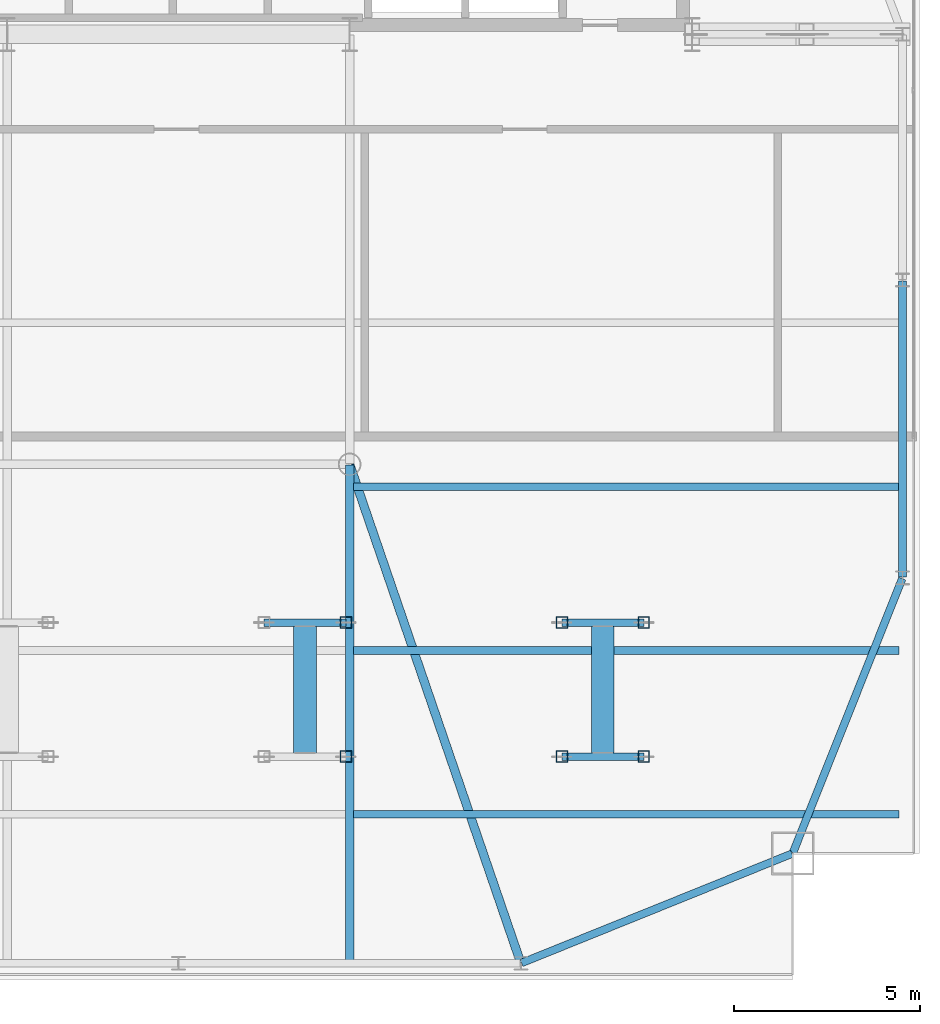
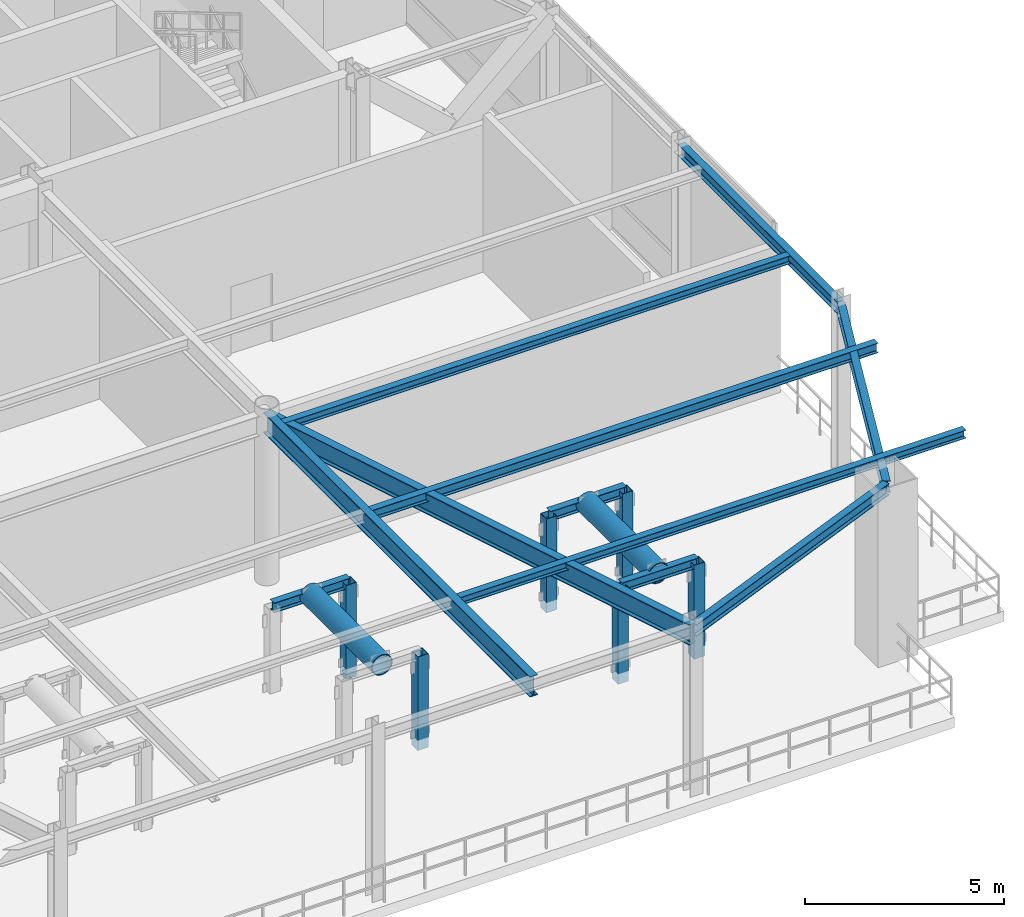
# One storey, part 9 of 21: 11 beams, 8 members.
"""IFC4 building model written with IfcOpenShell, lengths in metres."""

import ifcopenshell
import ifcopenshell.guid

model = None  # the IFC model being written
_history = None  # IfcOwnerHistory: only IFC2X3 demands one
_inside = {}  # id of a spatial element -> (the spatial element, [elements in it])
_under = {}  # id of a project, library or spatial element -> (it, [spatial elements below it])
_declared = {}  # id of a project -> (the project, [libraries it declares])
_typed = {}  # id of a type object -> (the type object, [elements of that type])
_made_of = {}  # id of a material, layer set ... -> (it, [elements and type objects made of it])


def new_model(schema):
    """Start an empty IFC model of exactly this schema.

    Asked for "IFC4X3", IfcOpenShell would pick the latest addendum, in which some entities
    have other attributes; the version numbers below select the first issue.
    IFC2X3 requires an IfcOwnerHistory on every rooted entity: one is made here for all.
    """
    global model, _history
    if schema == "IFC4X3":
        model = ifcopenshell.file(schema_version=(4, 3, 0, 0))
    else:
        model = ifcopenshell.file(schema=schema)
    _inside.clear()
    _under.clear()
    _declared.clear()
    _typed.clear()
    _made_of.clear()
    _history = None
    if model.schema == "IFC2X3":
        org = make("IfcOrganization", Name="unknown")
        user = make(
            "IfcPersonAndOrganization",
            ThePerson=make("IfcPerson", FamilyName="unknown"),
            TheOrganization=org,
        )
        app = make(
            "IfcApplication",
            ApplicationDeveloper=org,
            Version="unknown",
            ApplicationFullName="unknown",
            ApplicationIdentifier="unknown",
        )
        _history = make(
            "IfcOwnerHistory",
            OwningUser=user,
            OwningApplication=app,
            ChangeAction="ADDED",
            CreationDate=0,
        )
    return model


def make(cls, **values):
    """One entity of the class cls with the attributes given. An attribute that is None is left unset."""
    return model.create_entity(
        cls, **{name: value for name, value in values.items() if value is not None}
    )


def rooted(cls, **values):
    """An entity with a GlobalId (a new one), such as an element, a storey or a relation."""
    return make(cls, GlobalId=ifcopenshell.guid.new(), OwnerHistory=_history, **values)


def si_unit(unit_type, name, prefix=None):
    """IfcSIUnit, for example si_unit("LENGTHUNIT", "METRE", prefix="MILLI")."""
    return make("IfcSIUnit", UnitType=unit_type, Prefix=prefix, Name=name)


def assignment(units):
    """IfcUnitAssignment: the units of a project."""
    return None if units is None else make("IfcUnitAssignment", Units=units)


def point(xyz):
    """IfcCartesianPoint."""
    return None if xyz is None else make("IfcCartesianPoint", Coordinates=xyz)


def direction(xyz):
    """IfcDirection."""
    return None if xyz is None else make("IfcDirection", DirectionRatios=xyz)


def frame(location, z_axis=None, x_axis=None):
    """IfcAxis2Placement3D, a coordinate frame: its origin and axes. An axis left out is left unset."""
    return make(
        "IfcAxis2Placement3D",
        Location=point(location),
        Axis=direction(z_axis),
        RefDirection=direction(x_axis),
    )


def frame_2d(location, x_axis=None):
    """IfcAxis2Placement2D, a coordinate frame in the plane: its origin and x axis."""
    return make(
        "IfcAxis2Placement2D", Location=point(location), RefDirection=direction(x_axis)
    )


def origin():
    """The frame at (0, 0, 0) with its axes left unset."""
    return frame((0.0, 0.0, 0.0))


def origin_2d():
    """The frame at (0, 0) in the plane with its x axis left unset."""
    return frame_2d((0.0, 0.0))


def place(relative_to, where):
    """IfcLocalPlacement: puts the frame where relative to a parent placement (None: the world)."""
    return make(
        "IfcLocalPlacement", PlacementRelTo=relative_to, RelativePlacement=where
    )


def context(
    kind, dimensions, precision=None, world=None, true_north=None, identifier=None
):
    """IfcGeometricRepresentationContext, for example the 3D "Model" context."""
    return make(
        "IfcGeometricRepresentationContext",
        ContextIdentifier=identifier,
        ContextType=kind,
        CoordinateSpaceDimension=dimensions,
        Precision=precision,
        WorldCoordinateSystem=world,
        TrueNorth=true_north,
    )


def subcontext(parent, identifier, kind, view, scale=None):
    """IfcGeometricRepresentationSubContext, for example "Body" below "Model"."""
    return make(
        "IfcGeometricRepresentationSubContext",
        ContextIdentifier=identifier,
        ContextType=kind,
        ParentContext=parent,
        TargetScale=scale,
        TargetView=view,
    )


def project(units=None, contexts=None):
    """IfcProject with its units and contexts."""
    return rooted(
        "IfcProject",
        Name="project",
        RepresentationContexts=contexts,
        UnitsInContext=assignment(units),
    )


def spatial(cls, under=None, at=None, **own):
    """A site, building, storey or space (cls), placed at a placement, below another one or the project."""
    s = rooted(cls, ObjectPlacement=at, **own)
    if under is not None:
        _under.setdefault(under.id(), (under, []))[1].append(s)
    return s


def profile(cls, at=None, kind="AREA", **sizes):
    """A parametric profile (cls). Its sizes go by their IFC names, for example OverallWidth=200.0."""
    return make(cls, ProfileType=kind, Position=at, **sizes)


def hollow_rectangle(**sizes):
    """IfcRectangleHollowProfileDef."""
    return profile("IfcRectangleHollowProfileDef", **sizes)


def hollow_circle(**sizes):
    """IfcCircleHollowProfileDef."""
    return profile("IfcCircleHollowProfileDef", **sizes)


def i_section(**sizes):
    """IfcIShapeProfileDef."""
    return profile("IfcIShapeProfileDef", **sizes)


def extrude(swept, where, along, depth):
    """IfcExtrudedAreaSolid: the profile swept, set in the frame where, extruded along a direction by depth."""
    return make(
        "IfcExtrudedAreaSolid",
        SweptArea=swept,
        Position=where,
        ExtrudedDirection=direction(along),
        Depth=depth,
    )


def shape(context_of_items, identifier, shape_type, items):
    """IfcShapeRepresentation: the items that make up one representation, for example the "Body"."""
    return make(
        "IfcShapeRepresentation",
        ContextOfItems=context_of_items,
        RepresentationIdentifier=identifier,
        RepresentationType=shape_type,
        Items=items,
    )


def source(mapping_origin, context_of_items, identifier, shape_type, items):
    """IfcRepresentationMap: a shape defined once, which mapped items show again and again."""
    return make(
        "IfcRepresentationMap",
        MappingOrigin=mapping_origin,
        MappedRepresentation=shape(context_of_items, identifier, shape_type, items),
    )


def transform(
    local_origin,
    x_axis=None,
    y_axis=None,
    z_axis=None,
    scale=None,
    scale2=None,
    scale3=None,
    uniform=True,
):
    """IfcCartesianTransformationOperator3D, or its non-uniform kind. x_axis, y_axis, z_axis: its Axis1, 2, 3."""
    if uniform:
        return make(
            "IfcCartesianTransformationOperator3D",
            Axis1=direction(x_axis),
            Axis2=direction(y_axis),
            LocalOrigin=point(local_origin),
            Scale=scale,
            Axis3=direction(z_axis),
        )
    return make(
        "IfcCartesianTransformationOperator3DnonUniform",
        Axis1=direction(x_axis),
        Axis2=direction(y_axis),
        LocalOrigin=point(local_origin),
        Scale=scale,
        Axis3=direction(z_axis),
        Scale2=scale2,
        Scale3=scale3,
    )


def mapped(mapping_source, mapping_target):
    """IfcMappedItem: shows the shape of a source again, moved by a transform."""
    return make(
        "IfcMappedItem", MappingSource=mapping_source, MappingTarget=mapping_target
    )


def material(Name=None, Category=None):
    """IfcMaterial."""
    return make("IfcMaterial", Name=Name, Category=Category)


def material_profile(
    of_material, cross_section, Name=None, Category=None, Priority=None
):
    """IfcMaterialProfile: a cross section and its material."""
    return make(
        "IfcMaterialProfile",
        Name=Name,
        Material=of_material,
        Profile=cross_section,
        Priority=Priority,
        Category=Category,
    )


def profile_set(profiles, Name=None, composite=None):
    """IfcMaterialProfileSet."""
    return make(
        "IfcMaterialProfileSet",
        Name=Name,
        MaterialProfiles=profiles,
        CompositeProfile=composite,
    )


def made_of(thing, what):
    """Note that an element or type object is made of a material, layer set ...; save() writes the relation."""
    if what is not None:
        _made_of.setdefault(what.id(), (what, []))[1].append(thing)
    return thing


def type_object(cls, material=None, **own):
    """A type object (cls), such as IfcWallType, which elements share."""
    return made_of(rooted(cls, **own), material)


def type_shapes(of_type, sources):
    """Give a type object the sources (RepresentationMaps) that its elements show as mapped items."""
    of_type.RepresentationMaps = sources


def element(
    cls,
    number,
    at=None,
    inside=None,
    cuts=None,
    type_object=None,
    material=None,
    context=None,
    identifier="Body",
    shape_type=None,
    held_by="IfcProductDefinitionShape",
    body=None,
    shapes=None,
    **own,
):
    """One element of the class cls, such as IfcWall. Its Tag is "e" and its number.

    at: its placement. inside: the storey or other place that contains it. cuts: it is an
    opening in that element (IfcRelVoidsElement). A single representation is given by context,
    identifier, shape_type and body (its items); several are given by shapes. held_by: the class
    of the entity that holds the representations. save() writes the other relations.
    """
    e = rooted(cls, Tag="e%d" % number, ObjectPlacement=at, **own)
    if body is not None:
        shapes = [shape(context, identifier, shape_type, body)]
    if shapes is not None:
        e.Representation = make(held_by, Representations=shapes)
    if inside is not None:
        _inside.setdefault(inside.id(), (inside, []))[1].append(e)
    if cuts is not None:
        rooted(
            "IfcRelVoidsElement", RelatingBuildingElement=cuts, RelatedOpeningElement=e
        )
    if type_object is not None:
        _typed.setdefault(type_object.id(), (type_object, []))[1].append(e)
    return made_of(e, material)


def aggregate(whole, parts):
    """IfcRelAggregates: a whole, such as a stair, and the parts it consists of."""
    return rooted("IfcRelAggregates", RelatingObject=whole, RelatedObjects=parts)


def save(model, path):
    """Write the relations noted so far, then the file.

    IfcRelAggregates (storeys below a building ...), IfcRelContainedInSpatialStructure (elements
    in a storey), IfcRelDefinesByType, IfcRelAssociatesMaterial and IfcRelDeclares: one each for
    every whole, place, type object, material and project.
    """
    for whole, parts in _under.values():
        aggregate(whole, parts)
    for where, things in _inside.values():
        rooted(
            "IfcRelContainedInSpatialStructure",
            RelatedElements=things,
            RelatingStructure=where,
        )
    for kind, things in _typed.values():
        rooted("IfcRelDefinesByType", RelatedObjects=things, RelatingType=kind)
    for what, things in _made_of.values():
        rooted("IfcRelAssociatesMaterial", RelatedObjects=things, RelatingMaterial=what)
    for by, libraries in _declared.values():
        rooted("IfcRelDeclares", RelatingContext=by, RelatedDefinitions=libraries)
    model.write(path)


model = new_model("IFC4")

# Units and contexts
model_context = context("Model", 3, precision=1e-05, world=origin(), true_north=direction((0.0, 1.0)))
body_context = subcontext(model_context, "Body", "Model", "MODEL_VIEW")
ifc_project = project(units=[si_unit("LENGTHUNIT", "METRE"), si_unit("AREAUNIT", "SQUARE_METRE"), si_unit("VOLUMEUNIT", "CUBIC_METRE"), si_unit("PLANEANGLEUNIT", "RADIAN"), si_unit("MASSUNIT", "GRAM", prefix="KILO")], contexts=[model_context])

# Site, building, storey
site_placement = place(None, origin())
site = spatial("IfcSite", under=ifc_project, at=site_placement, CompositionType="ELEMENT")
building_placement = place(site_placement, origin())
building = spatial("IfcBuilding", under=site, at=building_placement, Name="Varnel Quay Broadcast Tower", CompositionType="ELEMENT")
storey_placement = place(building_placement, frame((0.0, 0.0, 234.0)))
storey = spatial("IfcBuildingStorey", under=building, at=storey_placement, Name="L58", CompositionType="ELEMENT", Elevation=234.0)

# Beams
ifc_material = material(Name="Structural Steel CSA G40.21 350W", Category="steel")
ifc_material_profile_1 = material_profile(ifc_material, i_section(OverallWidth=0.205078125, OverallDepth=0.35400390625, WebThickness=0.009521484375, FlangeThickness=0.016845703125, FilletRadius=0.012939453125, at=origin_2d()), Name="W360X79")
ifc_profile_set_1 = profile_set([ifc_material_profile_1], Name="Structural Steel CSA G40.21 350W")
beam_type_1 = type_object("IfcBeamType", Name="Beam_W360X79", PredefinedType="SPANDREL", material=ifc_profile_set_1)
shared_shape_1 = source(origin(), body_context, "Body", "SweptSolid", [
    extrude(i_section(OverallWidth=0.205078125, OverallDepth=0.35400390625, WebThickness=0.009521484375, FlangeThickness=0.016845703125, FilletRadius=0.012939453125, at=origin_2d()), origin(), (0.0, 0.0, 1.0), 7.83349609375),
])
beam_1_placement = place(storey_placement, frame((47.818603515625, 10.657470703125, 4.972900390625), z_axis=(0.927155449606, 0.374676890489, 0.0), x_axis=(-0.374676890489, 0.927155449606, 0.0)))
element("IfcBeam", 1, at=beam_1_placement, inside=storey, type_object=beam_type_1, Name="L58 South Spandrel TC-S4-MC-SE", PredefinedType="SPANDREL", context=body_context, shape_type="MappedRepresentation", body=[
    mapped(shared_shape_1, transform((0.0, 0.0, 0.0), x_axis=(1.0, 0.0, 0.0), y_axis=(0.0, 1.0, 0.0), z_axis=(0.0, 0.0, 1.0), scale=1.0)),
])
shared_shape_2 = source(origin(), body_context, "Body", "SweptSolid", [
    extrude(i_section(OverallWidth=0.205078125, OverallDepth=0.35400390625, WebThickness=0.009521484375, FlangeThickness=0.016845703125, FilletRadius=0.012939453125, at=origin_2d()), origin(), (0.0, 0.0, 1.0), 7.92626953125),
])
beam_2_placement = place(storey_placement, frame((55.107421875, 13.61865234375, 4.972900390625), z_axis=(0.370296431883, 0.928913641053, 0.0), x_axis=(-0.928913641053, 0.370296431883, 0.0)))
element("IfcBeam", 2, at=beam_2_placement, inside=storey, type_object=beam_type_1, Name="L58 East Spandrel MC-SE-TC-E1", PredefinedType="SPANDREL", context=body_context, shape_type="MappedRepresentation", body=[
    mapped(shared_shape_2, transform((0.0, 0.0, 0.0), x_axis=(1.0, 0.0, 0.0), y_axis=(0.0, 1.0, 0.0), z_axis=(0.0, 0.0, 1.0), scale=1.0)),
])
shared_shape_3 = source(origin(), body_context, "Body", "SweptSolid", [
    extrude(i_section(OverallWidth=0.205078125, OverallDepth=0.35400390625, WebThickness=0.009521484375, FlangeThickness=0.016845703125, FilletRadius=0.012939453125, at=origin_2d()), origin(), (0.0, 0.0, 1.0), 7.9599609375),
])
type_shapes(beam_type_1, [shared_shape_1, shared_shape_2, shared_shape_3])
beam_3_placement = place(storey_placement, frame((58.050048828125, 21.02001953125, 4.972900390625), z_axis=(0.0, 1.0, 0.0), x_axis=(-1.0, 0.0, 0.0)))
element("IfcBeam", 3, at=beam_3_placement, inside=storey, type_object=beam_type_1, Name="L58 East Spandrel TC-E1-TC-E2", PredefinedType="SPANDREL", context=body_context, shape_type="MappedRepresentation", body=[
    mapped(shared_shape_3, transform((0.0, 0.0, 0.0), x_axis=(1.0, 0.0, 0.0), y_axis=(0.0, 1.0, 0.0), z_axis=(0.0, 0.0, 1.0), scale=1.0)),
])
ifc_material_profile_2 = material_profile(ifc_material, i_section(OverallWidth=0.22998046875, OverallDepth=0.616943359375, WebThickness=0.01318359375, FlangeThickness=0.022216796875, FilletRadius=0.01611328125, at=origin_2d()), Name="W610X140")
ifc_profile_set_2 = profile_set([ifc_material_profile_2], Name="Structural Steel CSA G40.21 350W")
beam_type_2 = type_object("IfcBeamType", Name="Girder_W610X140", PredefinedType="BEAM", material=ifc_profile_set_2)
shared_shape_4 = source(origin(), body_context, "Body", "SweptSolid", [
    extrude(i_section(OverallWidth=0.22998046875, OverallDepth=0.616943359375, WebThickness=0.01318359375, FlangeThickness=0.022216796875, FilletRadius=0.01611328125, at=origin_2d()), origin(), (0.0, 0.0, 1.0), 14.12744140625),
])
beam_4_placement = place(storey_placement, frame((47.79345703125, 10.6689453125, 4.841552734375), z_axis=(-0.324681288447, 0.945823482967, 0.0), x_axis=(-0.945823482967, -0.324681288447, 0.0)))
element("IfcBeam", 4, at=beam_4_placement, inside=storey, type_object=beam_type_2, Name="L58 Primary Girder TC-S4-IC-02", PredefinedType="BEAM", context=body_context, shape_type="MappedRepresentation", body=[
    mapped(shared_shape_4, transform((0.0, 0.0, 0.0), x_axis=(1.0, 0.0, 0.0), y_axis=(0.0, 1.0, 0.0), z_axis=(0.0, 0.0, 1.0), scale=1.0)),
])
shared_shape_5 = source(origin(), body_context, "Body", "SweptSolid", [
    extrude(i_section(OverallWidth=0.22998046875, OverallDepth=0.616943359375, WebThickness=0.01318359375, FlangeThickness=0.022216796875, FilletRadius=0.01611328125, at=origin_2d()), origin(), (0.0, 0.0, 1.0), 13.360107421875),
])
type_shapes(beam_type_2, [shared_shape_4, shared_shape_5])
beam_5_placement = place(storey_placement, frame((43.199951171875, 10.669921875, 4.841552734375), z_axis=(0.0, 1.0, 0.0), x_axis=(-1.0, 0.0, 0.0)))
element("IfcBeam", 5, at=beam_5_placement, inside=storey, type_object=beam_type_2, Name="L58 N-S Joist Header IC-02S", PredefinedType="BEAM", context=body_context, shape_type="MappedRepresentation", body=[
    mapped(shared_shape_5, transform((0.0, 0.0, 0.0), x_axis=(1.0, 0.0, 0.0), y_axis=(0.0, 1.0, 0.0), z_axis=(0.0, 0.0, 1.0), scale=1.0)),
])
ifc_material_profile_3 = material_profile(ifc_material, i_section(OverallWidth=0.201904296875, OverallDepth=0.2470703125, WebThickness=0.00732421875, FlangeThickness=0.010986328125, FilletRadius=0.010986328125, at=origin_2d()), Name="W250X49")
ifc_profile_set_3 = profile_set([ifc_material_profile_3], Name="Structural Steel CSA G40.21 350W")
beam_type_3 = type_object("IfcBeamType", Name="Beam_W250X49", PredefinedType="JOIST", material=ifc_profile_set_3)
shared_shape_6 = source(origin(), body_context, "Body", "SweptSolid", [
    extrude(i_section(OverallWidth=0.201904296875, OverallDepth=0.2470703125, WebThickness=0.00732421875, FlangeThickness=0.010986328125, FilletRadius=0.010986328125, at=origin_2d()), origin(), (0.0, 0.0, 1.0), 14.642333984375),
])
type_shapes(beam_type_3, [shared_shape_6])
for number, where, z_axis, x_axis, name in (
    (6, (43.31005859375, 14.64990234375, 5.026611328125), (1.0, 0.0, 0.0), (0.0, 1.0, 0.0), "L58 East Floor Joist 1"),
    (7, (43.31005859375, 23.449951171875, 5.026611328125), (1.0, 0.0, 0.0), (0.0, 1.0, 0.0), "L58 East Floor Joist 3"),
):
    element("IfcBeam", number, at=place(storey_placement, frame(where, z_axis=z_axis, x_axis=x_axis)), inside=storey, type_object=beam_type_3, Name=name, PredefinedType="JOIST", context=body_context, shape_type="MappedRepresentation", body=[
        mapped(shared_shape_6, transform((0.0, 0.0, 0.0), x_axis=(1.0, 0.0, 0.0), y_axis=(0.0, 1.0, 0.0), z_axis=(0.0, 0.0, 1.0), scale=1.0)),
    ])
ifc_material_profile_4 = material_profile(ifc_material, i_section(OverallWidth=0.202880859375, OverallDepth=0.302978515625, WebThickness=0.007568359375, FlangeThickness=0.01318359375, FilletRadius=0.011962890625, at=origin_2d()), Name="W310X60")
ifc_profile_set_4 = profile_set([ifc_material_profile_4], Name="Structural Steel CSA G40.21 350W")
beam_type_4 = type_object("IfcBeamType", Name="Beam_W310X60", PredefinedType="JOIST", material=ifc_profile_set_4)
shared_shape_7 = source(origin(), body_context, "Body", "SweptSolid", [
    extrude(i_section(OverallWidth=0.202880859375, OverallDepth=0.302978515625, WebThickness=0.007568359375, FlangeThickness=0.01318359375, FilletRadius=0.011962890625, at=origin_2d()), origin(), (0.0, 0.0, 1.0), 14.642333984375),
])
beam_6_placement = place(storey_placement, frame((43.31005859375, 19.050048828125, 4.99853515625), z_axis=(1.0, 0.0, 0.0), x_axis=(0.0, 1.0, 0.0)))
element("IfcBeam", 8, at=beam_6_placement, inside=storey, type_object=beam_type_4, Name="L58 East Floor Joist 2", PredefinedType="JOIST", context=body_context, shape_type="MappedRepresentation", body=[
    mapped(shared_shape_7, transform((0.0, 0.0, 0.0), x_axis=(1.0, 0.0, 0.0), y_axis=(0.0, 1.0, 0.0), z_axis=(0.0, 0.0, 1.0), scale=1.0)),
])

# Members
ifc_material_profile_5 = material_profile(ifc_material, hollow_rectangle(XDim=0.304931640625, YDim=0.304931640625, WallThickness=0.012939453125, at=origin_2d()), Name="HSS305X305X13")
ifc_profile_set_5 = profile_set([ifc_material_profile_5], Name="Structural Steel CSA G40.21 350W")
member_type_1 = type_object("IfcMemberType", Name="Strut_HSS305X305X13", PredefinedType="STRUT", material=ifc_profile_set_5)
shared_shape_8 = source(origin(), body_context, "Body", "SweptSolid", [
    extrude(hollow_rectangle(XDim=0.304931640625, YDim=0.304931640625, WallThickness=0.012939453125, at=origin_2d()), origin(), (0.0, 0.0, 1.0), 2.8701171875),
])
type_shapes(member_type_1, [shared_shape_8])
for number, where, z_axis, x_axis, name in (
    (9, (43.10009765625, 16.199951171875, -0.320068359375), (0.0, 0.0, 1.0), (1.0, 0.0, 0.0), "L58 Wind Turbine 4 Cradle Post ES"),
    (10, (43.10009765625, 19.800048828125, -0.320068359375), (0.0, 0.0, 1.0), (1.0, 0.0, 0.0), "L58 Wind Turbine 4 Cradle Post EN"),
    (11, (48.89990234375, 16.199951171875, -0.320068359375), (0.0, 0.0, 1.0), (1.0, 0.0, 0.0), "L58 Wind Turbine 5 Cradle Post WS"),
    (12, (48.89990234375, 19.800048828125, -0.320068359375), (0.0, 0.0, 1.0), (1.0, 0.0, 0.0), "L58 Wind Turbine 5 Cradle Post WN"),
    (13, (51.10009765625, 16.199951171875, -0.320068359375), (0.0, 0.0, 1.0), (1.0, 0.0, 0.0), "L58 Wind Turbine 5 Cradle Post ES"),
    (14, (51.10009765625, 19.800048828125, -0.320068359375), (0.0, 0.0, 1.0), (1.0, 0.0, 0.0), "L58 Wind Turbine 5 Cradle Post EN"),
):
    element("IfcMember", number, at=place(storey_placement, frame(where, z_axis=z_axis, x_axis=x_axis)), inside=storey, type_object=member_type_1, Name=name, PredefinedType="STRUT", context=body_context, shape_type="MappedRepresentation", body=[
        mapped(shared_shape_8, transform((0.0, 0.0, 0.0), x_axis=(1.0, 0.0, 0.0), y_axis=(0.0, 1.0, 0.0), z_axis=(0.0, 0.0, 1.0), scale=1.0)),
    ])

# Beams
shared_shape_9 = source(origin(), body_context, "Body", "SweptSolid", [
    extrude(i_section(OverallWidth=0.202880859375, OverallDepth=0.302978515625, WebThickness=0.007568359375, FlangeThickness=0.01318359375, FilletRadius=0.011962890625, at=origin_2d()), origin(), (0.0, 0.0, 1.0), 2.2001953125),
])
type_shapes(beam_type_4, [shared_shape_7, shared_shape_9])
for number, where, z_axis, x_axis, name in (
    (15, (40.89990234375, 19.800048828125, 2.550048828125), (1.0, 0.0, 0.0), (0.0, 1.0, 0.0), "L58 Wind Turbine 4 North Cradle Beam"),
    (16, (48.89990234375, 16.199951171875, 2.550048828125), (1.0, 0.0, 0.0), (0.0, 1.0, 0.0), "L58 Wind Turbine 5 South Cradle Beam"),
    (17, (48.89990234375, 19.800048828125, 2.550048828125), (1.0, 0.0, 0.0), (0.0, 1.0, 0.0), "L58 Wind Turbine 5 North Cradle Beam"),
):
    element("IfcBeam", number, at=place(storey_placement, frame(where, z_axis=z_axis, x_axis=x_axis)), inside=storey, type_object=beam_type_4, Name=name, PredefinedType="JOIST", context=body_context, shape_type="MappedRepresentation", body=[
        mapped(shared_shape_9, transform((0.0, 0.0, 0.0), x_axis=(1.0, 0.0, 0.0), y_axis=(0.0, 1.0, 0.0), z_axis=(0.0, 0.0, 1.0), scale=1.0)),
    ])

# Members
ifc_material_profile_6 = material_profile(ifc_material, hollow_circle(Radius=0.304931640625, WallThickness=0.02490234375, at=origin_2d()), Name="CHS610X25")
ifc_profile_set_6 = profile_set([ifc_material_profile_6], Name="Structural Steel CSA G40.21 350W")
member_type_2 = type_object("IfcMemberType", Name="Brace_CHS610X25", PredefinedType="BRACE", material=ifc_profile_set_6)
shared_shape_10 = source(origin(), body_context, "Body", "SweptSolid", [
    extrude(hollow_circle(Radius=0.304931640625, WallThickness=0.02490234375, at=origin_2d()), origin(), (0.0, 0.0, 1.0), 3.60009765625),
])
type_shapes(member_type_2, [shared_shape_10])
for number, where, z_axis, x_axis, name in (
    (18, (42.0, 16.199951171875, 2.550048828125), (0.0, 1.0, 0.0), (-1.0, 0.0, 0.0), "L58 Wind Turbine 4 Nacelle Shaft"),
    (19, (50.0, 16.199951171875, 2.550048828125), (0.0, 1.0, 0.0), (-1.0, 0.0, 0.0), "L58 Wind Turbine 5 Nacelle Shaft"),
):
    element("IfcMember", number, at=place(storey_placement, frame(where, z_axis=z_axis, x_axis=x_axis)), inside=storey, type_object=member_type_2, Name=name, PredefinedType="BRACE", context=body_context, shape_type="MappedRepresentation", body=[
        mapped(shared_shape_10, transform((0.0, 0.0, 0.0), x_axis=(1.0, 0.0, 0.0), y_axis=(0.0, 1.0, 0.0), z_axis=(0.0, 0.0, 1.0), scale=1.0)),
    ])

save(model, "model.ifc")
